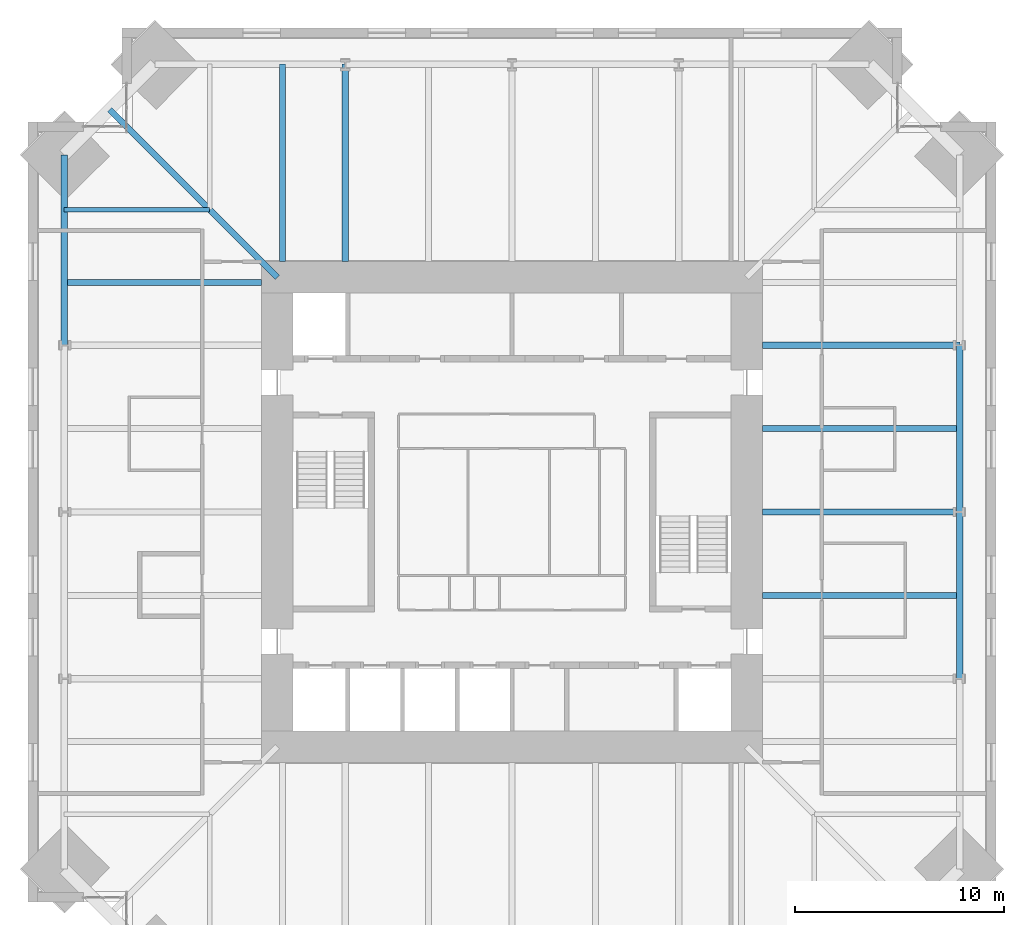
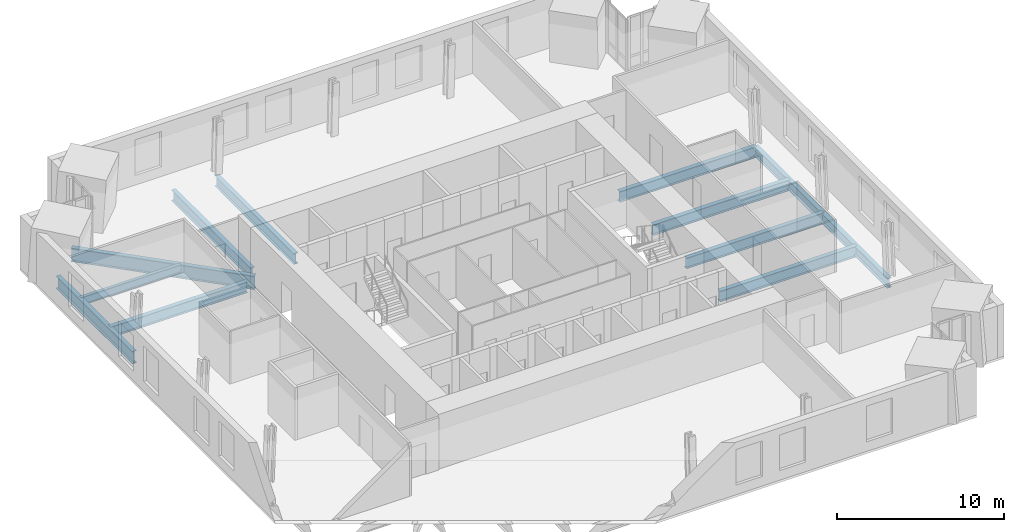
# One storey, part 5 of 15: 12 beams.
"""IFC4 building model written with IfcOpenShell, lengths in metres."""

from ifc_helpers import new_model, si_unit, direction, frame, origin, origin_2d, place, context, subcontext, project, spatial, i_section, extrude, material, material_profile, profile_set, type_object, element, save


model = new_model("IFC4")

# Units and contexts
model_context = context("Model", 3, precision=1e-05, world=origin(), true_north=direction((0.0, 1.0)))
body_context = subcontext(model_context, "Body", "Model", "MODEL_VIEW")
ifc_project = project(units=[si_unit("LENGTHUNIT", "METRE"), si_unit("AREAUNIT", "SQUARE_METRE"), si_unit("VOLUMEUNIT", "CUBIC_METRE"), si_unit("PLANEANGLEUNIT", "RADIAN"), si_unit("MASSUNIT", "GRAM", prefix="KILO")], contexts=[model_context])

# Site, building, storey
site_placement = place(None, origin())
site = spatial("IfcSite", under=ifc_project, at=site_placement, CompositionType="ELEMENT")
building_placement = place(site_placement, origin())
building = spatial("IfcBuilding", under=site, at=building_placement, Name="Peilmerk Tower", CompositionType="ELEMENT")
storey_placement = place(building_placement, frame((0.0, 0.0, 233.800048828125)))
storey = spatial("IfcBuildingStorey", under=building, at=storey_placement, Name="L51", CompositionType="ELEMENT", Elevation=233.800048828125)

# Beams
ifc_material = material(Name="Steel S355", Category="steel")
ifc_material_profile_1 = material_profile(ifc_material, i_section(OverallWidth=0.219970703125, OverallDepth=0.60009765625, WebThickness=0.011962890625, FlangeThickness=0.01904296875, at=origin_2d()), Name="IPE 600")
ifc_profile_set_1 = profile_set([ifc_material_profile_1], Name="Steel S355")
beam_type_1 = type_object("IfcBeamType", Name="B10 IPE 600 floor beam", PredefinedType="BEAM", material=ifc_profile_set_1)
beam_1_placement = place(storey_placement, frame((-14.5, 14.5, -0.469970703125), z_axis=(-1.0, 0.0, 0.0), x_axis=(0.0, -1.0, 0.0)))
element("IfcBeam", 1, at=beam_1_placement, inside=storey, type_object=beam_type_1, Name="Floor beam L51", PredefinedType="BEAM", context=body_context, shape_type="SweptSolid", body=[
    extrude(i_section(OverallWidth=0.219970703125, OverallDepth=0.60009765625, WebThickness=0.011962890625, FlangeThickness=0.01904296875, at=origin_2d()), origin(), (0.0, 0.0, 1.0), 6.96923828125),
])
ifc_material_profile_2 = material_profile(ifc_material, i_section(OverallWidth=0.300048828125, OverallDepth=0.989990234375, WebThickness=0.0166015625, FlangeThickness=0.031005859375, at=origin_2d()), Name="HEA 1000")
ifc_profile_set_2 = profile_set([ifc_material_profile_2], Name="Steel S355")
beam_type_2 = type_object("IfcBeamType", Name="B14 HEA 1000 floor girder", PredefinedType="BEAM", material=ifc_profile_set_2)
beam_2_placement = place(storey_placement, frame((-11.25, 11.25, -0.6650390625), z_axis=(-0.707106781187, 0.707106781187, 0.0), x_axis=(-0.707106781187, -0.707106781187, 0.0)))
element("IfcBeam", 2, at=beam_2_placement, inside=storey, type_object=beam_type_2, Name="Corner girder L51", PredefinedType="BEAM", context=body_context, shape_type="SweptSolid", body=[
    extrude(i_section(OverallWidth=0.300048828125, OverallDepth=0.989990234375, WebThickness=0.0166015625, FlangeThickness=0.031005859375, at=origin_2d()), origin(), (0.0, 0.0, 1.0), 11.37646484375),
])
ifc_material_profile_3 = material_profile(ifc_material, i_section(OverallWidth=0.302001953125, OverallDepth=0.909912109375, WebThickness=0.02099609375, FlangeThickness=0.0400390625, at=origin_2d()), Name="HEM 900")
ifc_profile_set_3 = profile_set([ifc_material_profile_3], Name="Steel S355")
beam_type_3 = type_object("IfcBeamType", Name="B2 HEM 900 edge beam", PredefinedType="SPANDREL", material=ifc_profile_set_3)
beam_3_placement = place(storey_placement, frame((-21.46923828125, 17.119384765625, -0.625), z_axis=(0.0, -1.0, 0.0), x_axis=(1.0, 0.0, 0.0)))
element("IfcBeam", 3, at=beam_3_placement, inside=storey, type_object=beam_type_3, Name="Edge beam L51", PredefinedType="SPANDREL", context=body_context, shape_type="SweptSolid", body=[
    extrude(i_section(OverallWidth=0.302001953125, OverallDepth=0.909912109375, WebThickness=0.02099609375, FlangeThickness=0.0400390625, at=origin_2d()), origin(), (0.0, 0.0, 1.0), 9.119384765625),
])
ifc_material_profile_4 = material_profile(ifc_material, i_section(OverallWidth=0.300048828125, OverallDepth=0.7900390625, WebThickness=0.014892578125, FlangeThickness=0.028076171875, at=origin_2d()), Name="HEA 800")
ifc_profile_set_4 = profile_set([ifc_material_profile_4], Name="Steel S355")
beam_type_4 = type_object("IfcBeamType", Name="B3 HEA 800 floor beam", PredefinedType="BEAM", material=ifc_profile_set_4)
for number, where, z_axis, x_axis, name in (
    (4, (-8.0, 12.0, -0.56494140625), (0.0, 1.0, 0.0), (-1.0, 0.0, 0.0), "Floor beam L51"),
    (5, (-11.0, 12.0, -0.56494140625), (0.0, 1.0, 0.0), (-1.0, 0.0, 0.0), "Floor beam L51"),
    (6, (12.0, -4.0, -0.56494140625), (1.0, 0.0, 0.0), (0.0, 1.0, 0.0), "Floor beam L51"),
    (7, (12.0, 0.0, -0.56494140625), (1.0, 0.0, 0.0), (0.0, 1.0, 0.0), "Floor beam L51"),
    (8, (12.0, 4.0, -0.56494140625), (1.0, 0.0, 0.0), (0.0, 1.0, 0.0), "Floor beam L51"),
    (9, (12.0, 8.0, -0.56494140625), (1.0, 0.0, 0.0), (0.0, 1.0, 0.0), "Floor beam L51"),
    (10, (-12.0, 11.0, -0.56494140625), (-1.0, 0.0, 0.0), (0.0, -1.0, 0.0), "Floor beam L51"),
):
    element("IfcBeam", number, at=place(storey_placement, frame(where, z_axis=z_axis, x_axis=x_axis)), inside=storey, type_object=beam_type_4, Name=name, PredefinedType="BEAM", context=body_context, shape_type="SweptSolid", body=[
        extrude(i_section(OverallWidth=0.300048828125, OverallDepth=0.7900390625, WebThickness=0.014892578125, FlangeThickness=0.028076171875, at=origin_2d()), origin(), (0.0, 0.0, 1.0), 9.46923828125),
    ])
ifc_material_profile_5 = material_profile(ifc_material, i_section(OverallWidth=0.303955078125, OverallDepth=0.716064453125, WebThickness=0.02099609375, FlangeThickness=0.0400390625, at=origin_2d()), Name="HEM 700")
ifc_profile_set_5 = profile_set([ifc_material_profile_5], Name="Steel S355")
beam_type_5 = type_object("IfcBeamType", Name="B30 HEM 700 edge beam", PredefinedType="SPANDREL", material=ifc_profile_set_5)
for number, where, z_axis, x_axis, name in (
    (11, (21.46923828125, -8.0, -0.528076171875), (0.0, 1.0, 0.0), (-1.0, 0.0, 0.0), "Edge beam L51"),
    (12, (21.46923828125, 0.0, -0.528076171875), (0.0, 1.0, 0.0), (-1.0, 0.0, 0.0), "Edge beam L51"),
):
    element("IfcBeam", number, at=place(storey_placement, frame(where, z_axis=z_axis, x_axis=x_axis)), inside=storey, type_object=beam_type_5, Name=name, PredefinedType="SPANDREL", context=body_context, shape_type="SweptSolid", body=[
        extrude(i_section(OverallWidth=0.303955078125, OverallDepth=0.716064453125, WebThickness=0.02099609375, FlangeThickness=0.0400390625, at=origin_2d()), origin(), (0.0, 0.0, 1.0), 8.0),
    ])

save(model, "model.ifc")
